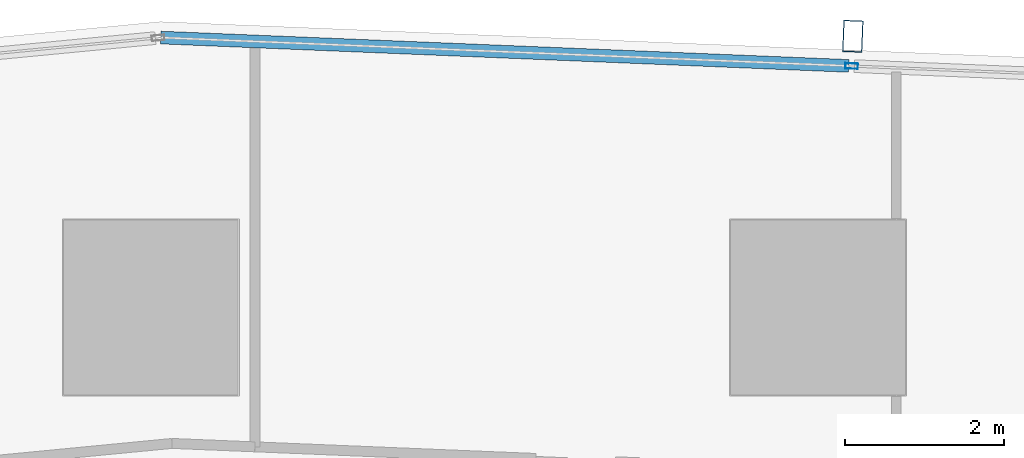
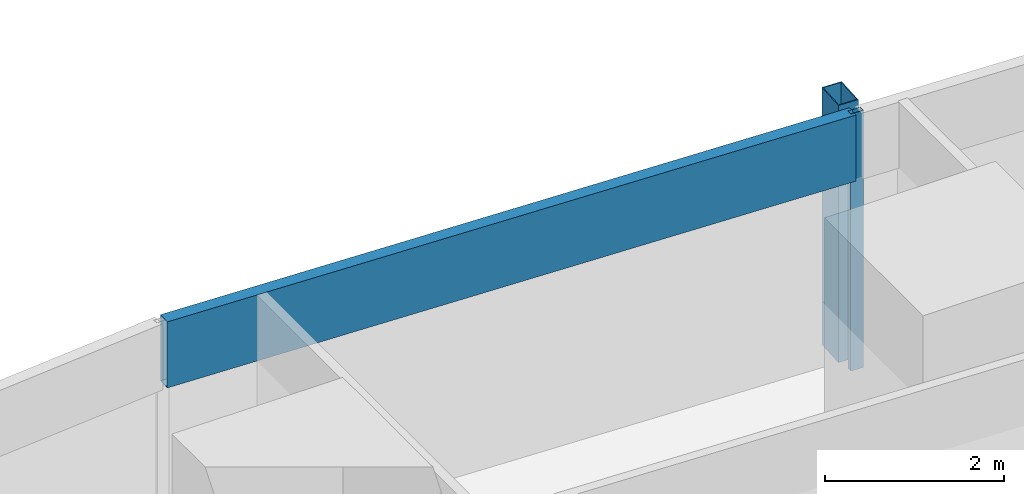
# One storey, part 18 of 44: 3 members, 1 element without a shape of its own.
"""IFC4 building model written with IfcOpenShell, lengths in metres."""

from ifc_helpers import new_model, si_unit, direction, frame, origin, origin_2d, place, context, subcontext, project, spatial, hollow_rectangle, extrude, material, material_profile, profile_set, type_object, element, aggregate, save


model = new_model("IFC4")

# Units and contexts
model_context = context("Model", 3, precision=1e-05, world=origin(), true_north=direction((0.0, 1.0)))
body_context = subcontext(model_context, "Body", "Model", "MODEL_VIEW")
ifc_project = project(units=[si_unit("LENGTHUNIT", "METRE"), si_unit("AREAUNIT", "SQUARE_METRE"), si_unit("VOLUMEUNIT", "CUBIC_METRE"), si_unit("PLANEANGLEUNIT", "RADIAN"), si_unit("MASSUNIT", "GRAM", prefix="KILO")], contexts=[model_context])

# Site, building, storey
site_placement = place(None, origin())
site = spatial("IfcSite", under=ifc_project, at=site_placement, CompositionType="ELEMENT")
building_placement = place(site_placement, origin())
building = spatial("IfcBuilding", under=site, at=building_placement, Name="Rekha Terrace Tower", CompositionType="ELEMENT")
storey_placement = place(building_placement, frame((0.0, 0.0, 59.14990234375)))
storey = spatial("IfcBuildingStorey", under=building, at=storey_placement, Name="L14", CompositionType="ELEMENT", Elevation=59.14990234375)

# Curtain wall, members
ifc_material_1 = material(Name="Aluminium framing", Category="aluminium")
curtain_wall_type = type_object("IfcCurtainWallType", Name="CW3 north unitised glazing", PredefinedType="USERDEFINED", material=ifc_material_1)
curtain_wall_placement = place(storey_placement, origin())
curtain_wall = element("IfcCurtainWall", 1, at=curtain_wall_placement, inside=storey, type_object=curtain_wall_type, Name="CW3 unitised curtain wall", ObjectType="UNITISED CURTAIN WALL", PredefinedType="USERDEFINED")
ifc_material_2 = material(Name="Steel S355 with fluorocarbon finish", Category="steel")
ifc_material_profile_1 = material_profile(ifc_material_2, hollow_rectangle(XDim=0.25, YDim=0.39990234375, WallThickness=0.012451171875, at=origin_2d()), Name="RHS400x250x12.5")
ifc_profile_set_1 = profile_set([ifc_material_profile_1], Name="Steel S355 with fluorocarbon finish")
member_type_1 = type_object("IfcMemberType", Name="BL1 facade blade RHS 400 x 250", PredefinedType="USERDEFINED", material=ifc_profile_set_1)
member_1_placement = place(storey_placement, frame((34.037353515625, 62.2158203125, 0.0), z_axis=(0.0, 0.0, 1.0), x_axis=(-0.99915196507, 0.041174636562, 0.0)))
member_1 = element("IfcMember", 2, at=member_1_placement, type_object=member_type_1, Name="Facade blade", ObjectType="FACADE BLADE", PredefinedType="USERDEFINED", context=body_context, shape_type="SweptSolid", body=[
    extrude(hollow_rectangle(XDim=0.25, YDim=0.39990234375, WallThickness=0.012451171875, at=origin_2d()), origin(), (0.0, 0.0, 1.0), 3.5),
])
ifc_material_3 = material(Name="Aluminium mullion section", Category="aluminium")
ifc_material_profile_2 = material_profile(ifc_material_3, hollow_rectangle(XDim=0.070068359375, YDim=0.159912109375, WallThickness=0.00390625, at=origin_2d()), Name="AL RHS 70x160")
ifc_profile_set_2 = profile_set([ifc_material_profile_2], Name="Aluminium mullion section")
member_type_2 = type_object("IfcMemberType", Name="CW3 mullion RHS 70 x 160", PredefinedType="MULLION", material=ifc_profile_set_2)
member_2_placement = place(storey_placement, frame((34.02197265625, 61.84130859375, 0.0), z_axis=(0.0, 0.0, 1.0), x_axis=(-0.041173846041, -0.999151997647, 0.0)))
member_2 = element("IfcMember", 3, at=member_2_placement, type_object=member_type_2, Name="CW3 mullion 5", PredefinedType="MULLION", context=body_context, shape_type="SweptSolid", body=[
    extrude(hollow_rectangle(XDim=0.070068359375, YDim=0.159912109375, WallThickness=0.00390625, at=origin_2d()), origin(), (0.0, 0.0, 1.0), 3.5),
])
ifc_material_4 = material(Name="Insulated aluminium spandrel box", Category="aluminium")
ifc_material_profile_3 = material_profile(ifc_material_4, hollow_rectangle(XDim=0.159912109375, YDim=0.89990234375, WallThickness=0.0029296875, at=origin_2d()), Name="AL SPANDREL BOX 160x900")
ifc_profile_set_3 = profile_set([ifc_material_profile_3], Name="Insulated aluminium spandrel box")
member_type_3 = type_object("IfcMemberType", Name="CW3 spandrel transom 160 x 900", PredefinedType="USERDEFINED", material=ifc_profile_set_3)
member_3_placement = place(storey_placement, frame((33.987060546875, 61.8427734375, 3.050048828125), z_axis=(-0.999152004012, 0.04117369158, 0.0), x_axis=(-0.04117369158, -0.999152004012, 0.0)))
member_3 = element("IfcMember", 4, at=member_3_placement, type_object=member_type_3, Name="CW3 spandrel transom 5", ObjectType="TRANSOM", PredefinedType="USERDEFINED", context=body_context, shape_type="SweptSolid", body=[
    extrude(hollow_rectangle(XDim=0.159912109375, YDim=0.89990234375, WallThickness=0.0029296875, at=origin_2d()), origin(), (0.0, 0.0, 1.0), 8.6689453125),
])
aggregate(curtain_wall, [member_2, member_3, member_1])

save(model, "model.ifc")
